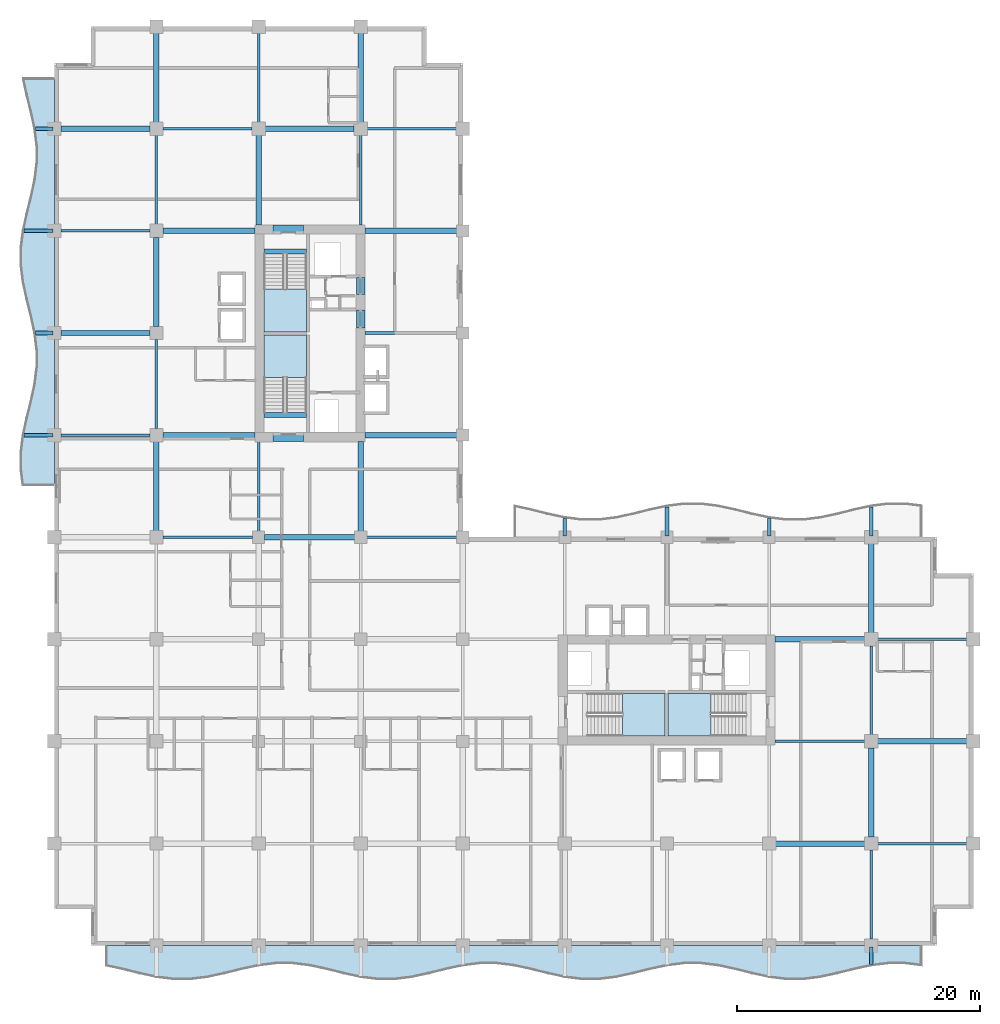
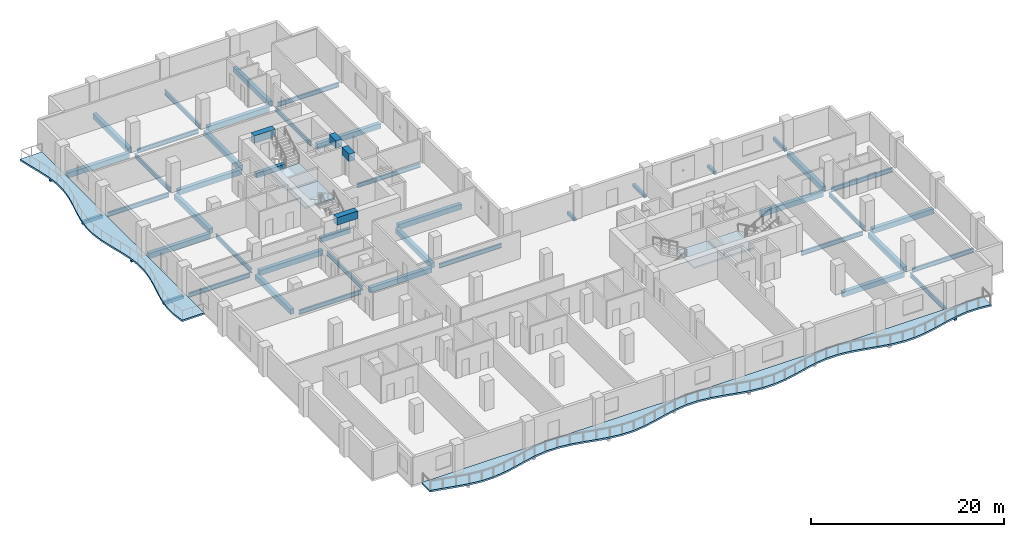
# One storey, part 2 of 16: 51 beams, 6 slabs, 4 elements without a shape of their own.
"""IFC4 building model written with IfcOpenShell, lengths in metres."""

from ifc_helpers import new_model, si_unit, direction, frame, origin, origin_2d, place, context, subcontext, project, spatial, polyline, rectangle, i_section, outline, extrude, material, layer, layer_set, material_profile, profile_set, type_object, element, aggregate, save


model = new_model("IFC4")

# Units and contexts
model_context = context("Model", 3, precision=1e-05, world=origin(), true_north=direction((0.0, 1.0)))
body_context = subcontext(model_context, "Body", "Model", "MODEL_VIEW")
ifc_project = project(units=[si_unit("LENGTHUNIT", "METRE"), si_unit("AREAUNIT", "SQUARE_METRE"), si_unit("VOLUMEUNIT", "CUBIC_METRE"), si_unit("PLANEANGLEUNIT", "RADIAN"), si_unit("MASSUNIT", "GRAM", prefix="KILO")], contexts=[model_context])

# Site, building, storey
site_placement = place(None, origin())
site = spatial("IfcSite", under=ifc_project, at=site_placement, CompositionType="ELEMENT")
building_placement = place(site_placement, origin())
building = spatial("IfcBuilding", under=site, at=building_placement, Name="Koriwani Terraces Tower", CompositionType="ELEMENT")
storey_placement = place(building_placement, frame((0.0, 0.0, 171.699951171875)))
storey = spatial("IfcBuildingStorey", under=building, at=storey_placement, Name="L41", CompositionType="ELEMENT", Elevation=171.699951171875)

# Beams
ifc_material_1 = material(Name="Concrete C40/50", Category="concrete")
ifc_material_profile_1 = material_profile(ifc_material_1, rectangle(XDim=0.300048828125, YDim=0.39990234375, at=origin_2d()), Name="Concrete C40/50", Category="LoadBearing")
ifc_profile_set_1 = profile_set([ifc_material_profile_1], Name="Concrete C40/50")
beam_type_1 = type_object("IfcBeamType", Name="BEAM_RC_BALCONY_RIB_300X400", PredefinedType="JOIST", material=ifc_profile_set_1)
beam_1_placement = place(storey_placement, frame((67.199951171875, -1.547607421875, -0.429931640625), z_axis=(0.0, 1.0, 0.0), x_axis=(-1.0, 0.0, 0.0)))
element("IfcBeam", 1, at=beam_1_placement, inside=storey, type_object=beam_type_1, Name="L41 Balcony Bracket Rib S-8", PredefinedType="JOIST", context=body_context, shape_type="SweptSolid", body=[
    extrude(rectangle(XDim=0.300048828125, YDim=0.39990234375, at=origin_2d()), origin(), (0.0, 0.0, 1.0), 1.447509765625),
])
beam_2_placement = place(storey_placement, frame((-2.502197265625, 42.0, -0.429931640625), z_axis=(1.0, 0.0, 0.0), x_axis=(0.0, 1.0, 0.0)))
element("IfcBeam", 2, at=beam_2_placement, inside=storey, type_object=beam_type_1, Name="L41 Balcony Bracket Rib W-1", PredefinedType="JOIST", context=body_context, shape_type="SweptSolid", body=[
    extrude(rectangle(XDim=0.300048828125, YDim=0.39990234375, at=origin_2d()), origin(), (0.0, 0.0, 1.0), 2.402099609375),
])
beam_3_placement = place(storey_placement, frame((-1.547607421875, 50.39990234375, -0.429931640625), z_axis=(1.0, 0.0, 0.0), x_axis=(0.0, 1.0, 0.0)))
element("IfcBeam", 3, at=beam_3_placement, inside=storey, type_object=beam_type_1, Name="L41 Balcony Bracket Rib W-2", PredefinedType="JOIST", context=body_context, shape_type="SweptSolid", body=[
    extrude(rectangle(XDim=0.300048828125, YDim=0.39990234375, at=origin_2d()), origin(), (0.0, 0.0, 1.0), 1.447509765625),
])
beam_4_placement = place(storey_placement, frame((-2.502197265625, 58.800048828125, -0.429931640625), z_axis=(1.0, 0.0, 0.0), x_axis=(0.0, 1.0, 0.0)))
element("IfcBeam", 4, at=beam_4_placement, inside=storey, type_object=beam_type_1, Name="L41 Balcony Bracket Rib W-3", PredefinedType="JOIST", context=body_context, shape_type="SweptSolid", body=[
    extrude(rectangle(XDim=0.300048828125, YDim=0.39990234375, at=origin_2d()), origin(), (0.0, 0.0, 1.0), 2.402099609375),
])
beam_5_placement = place(storey_placement, frame((-1.547607421875, 67.199951171875, -0.429931640625), z_axis=(1.0, 0.0, 0.0), x_axis=(0.0, 1.0, 0.0)))
element("IfcBeam", 5, at=beam_5_placement, inside=storey, type_object=beam_type_1, Name="L41 Balcony Bracket Rib W-4", PredefinedType="JOIST", context=body_context, shape_type="SweptSolid", body=[
    extrude(rectangle(XDim=0.300048828125, YDim=0.39990234375, at=origin_2d()), origin(), (0.0, 0.0, 1.0), 1.447509765625),
])
beam_6_placement = place(storey_placement, frame((42.0, 33.699951171875, -0.429931640625), z_axis=(0.0, 1.0, 0.0), x_axis=(-1.0, 0.0, 0.0)))
element("IfcBeam", 6, at=beam_6_placement, inside=storey, type_object=beam_type_1, Name="L41 Balcony Bracket Rib NE-1", PredefinedType="JOIST", context=body_context, shape_type="SweptSolid", body=[
    extrude(rectangle(XDim=0.300048828125, YDim=0.39990234375, at=origin_2d()), origin(), (0.0, 0.0, 1.0), 1.44775390625),
])
beam_7_placement = place(storey_placement, frame((50.39990234375, 33.699951171875, -0.429931640625), z_axis=(0.0, 1.0, 0.0), x_axis=(-1.0, 0.0, 0.0)))
element("IfcBeam", 7, at=beam_7_placement, inside=storey, type_object=beam_type_1, Name="L41 Balcony Bracket Rib NE-2", PredefinedType="JOIST", context=body_context, shape_type="SweptSolid", body=[
    extrude(rectangle(XDim=0.300048828125, YDim=0.39990234375, at=origin_2d()), origin(), (0.0, 0.0, 1.0), 2.40234375),
])
beam_8_placement = place(storey_placement, frame((58.800048828125, 33.699951171875, -0.429931640625), z_axis=(0.0, 1.0, 0.0), x_axis=(-1.0, 0.0, 0.0)))
element("IfcBeam", 8, at=beam_8_placement, inside=storey, type_object=beam_type_1, Name="L41 Balcony Bracket Rib NE-3", PredefinedType="JOIST", context=body_context, shape_type="SweptSolid", body=[
    extrude(rectangle(XDim=0.300048828125, YDim=0.39990234375, at=origin_2d()), origin(), (0.0, 0.0, 1.0), 1.44775390625),
])
beam_9_placement = place(storey_placement, frame((67.199951171875, 33.699951171875, -0.429931640625), z_axis=(0.0, 1.0, 0.0), x_axis=(-1.0, 0.0, 0.0)))
element("IfcBeam", 9, at=beam_9_placement, inside=storey, type_object=beam_type_1, Name="L41 Balcony Bracket Rib NE-4", PredefinedType="JOIST", context=body_context, shape_type="SweptSolid", body=[
    extrude(rectangle(XDim=0.300048828125, YDim=0.39990234375, at=origin_2d()), origin(), (0.0, 0.0, 1.0), 2.40234375),
])
ifc_material_2 = material(Name="Concrete C60/75", Category="concrete")
ifc_material_profile_2 = material_profile(ifc_material_2, rectangle(XDim=0.699951171875, YDim=0.949951171875, at=origin_2d()), Name="Concrete C60/75", Category="LoadBearing")
ifc_profile_set_2 = profile_set([ifc_material_profile_2], Name="Concrete C60/75")
beam_type_2 = type_object("IfcBeamType", Name="BEAM_RC_COUPLING_700X950", PredefinedType="LINTEL", material=ifc_profile_set_2)
beam_10_placement = place(storey_placement, frame((25.199951171875, 50.800048828125, 2.9951171875), z_axis=(0.0, 1.0, 0.0), x_axis=(-1.0, 0.0, 0.0)))
element("IfcBeam", 10, at=beam_10_placement, inside=storey, type_object=beam_type_2, Name="L41 Core Coupling Lintel Beam WE1", PredefinedType="LINTEL", context=body_context, shape_type="SweptSolid", body=[
    extrude(rectangle(XDim=0.699951171875, YDim=0.949951171875, at=origin_2d()), origin(), (0.0, 0.0, 1.0), 1.47998046875),
])
beam_11_placement = place(storey_placement, frame((25.199951171875, 53.550048828125, 2.9951171875), z_axis=(0.0, 1.0, 0.0), x_axis=(-1.0, 0.0, 0.0)))
element("IfcBeam", 11, at=beam_11_placement, inside=storey, type_object=beam_type_2, Name="L41 Core Coupling Lintel Beam WE2", PredefinedType="LINTEL", context=body_context, shape_type="SweptSolid", body=[
    extrude(rectangle(XDim=0.699951171875, YDim=0.949951171875, at=origin_2d()), origin(), (0.0, 0.0, 1.0), 1.39990234375),
])
for number, where, z_axis, x_axis, name in (
    (12, (18.0, 41.824951171875, 2.9951171875), (1.0, 0.0, 0.0), (0.0, 1.0, 0.0), "L41 Core Coupling Lintel Beam WS"),
    (13, (18.0, 58.925048828125, 2.9951171875), (1.0, 0.0, 0.0), (0.0, 1.0, 0.0), "L41 Core Coupling Lintel Beam WN"),
):
    element("IfcBeam", number, at=place(storey_placement, frame(where, z_axis=z_axis, x_axis=x_axis)), inside=storey, type_object=beam_type_2, Name=name, PredefinedType="LINTEL", context=body_context, shape_type="SweptSolid", body=[
        extrude(rectangle(XDim=0.699951171875, YDim=0.949951171875, at=origin_2d()), origin(), (0.0, 0.0, 1.0), 2.5),
    ])
ifc_material_profile_3 = material_profile(ifc_material_1, rectangle(XDim=0.39990234375, YDim=0.60009765625, at=origin_2d()), Name="Concrete C40/50", Category="LoadBearing")
ifc_profile_set_3 = profile_set([ifc_material_profile_3], Name="Concrete C40/50")
beam_type_3 = type_object("IfcBeamType", Name="BEAM_RC_GRID_400X600", PredefinedType="BEAM", material=ifc_profile_set_3)
for number, where, z_axis, x_axis, name in (
    (14, (17.25, 43.655029296875, -0.300048828125), (1.0, 0.0, 0.0), (0.0, 1.0, 0.0), "L41 Stairwell Header Trimmer Beam ST-W1"),
    (15, (17.25, 57.094970703125, -0.300048828125), (1.0, 0.0, 0.0), (0.0, 1.0, 0.0), "L41 Stairwell Header Trimmer Beam ST-W2"),
):
    element("IfcBeam", number, at=place(storey_placement, frame(where, z_axis=z_axis, x_axis=x_axis)), inside=storey, type_object=beam_type_3, Name=name, PredefinedType="BEAM", context=body_context, shape_type="SweptSolid", body=[
        extrude(rectangle(XDim=0.39990234375, YDim=0.60009765625, at=origin_2d()), origin(), (0.0, 0.0, 1.0), 3.5),
    ])
ifc_material_3 = material(Name="Concrete C50/60", Category="concrete")
ifc_material_profile_4 = material_profile(ifc_material_3, rectangle(XDim=0.449951171875, YDim=0.64990234375, at=origin_2d()), Name="Concrete C50/60", Category="LoadBearing")
ifc_profile_set_4 = profile_set([ifc_material_profile_4], Name="Concrete C50/60")
beam_type_4 = type_object("IfcBeamType", Name="BEAM_RC_GRID_450X650", PredefinedType="BEAM", material=ifc_profile_set_4)
beam_12_placement = place(storey_placement, frame((59.330078125, 8.39990234375, -0.554931640625), z_axis=(1.0, 0.0, 0.0), x_axis=(0.0, 1.0, 0.0)))
element("IfcBeam", 16, at=beam_12_placement, inside=storey, type_object=beam_type_4, Name="L41 Grid Beam B (58.8-67.2m)", PredefinedType="BEAM", context=body_context, shape_type="SweptSolid", body=[
    extrude(rectangle(XDim=0.449951171875, YDim=0.64990234375, at=origin_2d()), origin(), (0.0, 0.0, 1.0), 7.33984375),
])
beam_13_placement = place(storey_placement, frame((67.72998046875, 16.800048828125, -0.554931640625), z_axis=(1.0, 0.0, 0.0), x_axis=(0.0, 1.0, 0.0)))
element("IfcBeam", 17, at=beam_13_placement, inside=storey, type_object=beam_type_4, Name="L41 Grid Beam C (67.2-75.6m)", PredefinedType="BEAM", context=body_context, shape_type="SweptSolid", body=[
    extrude(rectangle(XDim=0.449951171875, YDim=0.64990234375, at=origin_2d()), origin(), (0.0, 0.0, 1.0), 7.340087890625),
])
beam_14_placement = place(storey_placement, frame((59.280029296875, 25.199951171875, -0.554931640625), z_axis=(1.0, 0.0, 0.0), x_axis=(0.0, 1.0, 0.0)))
element("IfcBeam", 18, at=beam_14_placement, inside=storey, type_object=beam_type_4, Name="L41 Grid Beam D (58.8-67.2m)", PredefinedType="BEAM", context=body_context, shape_type="SweptSolid", body=[
    extrude(rectangle(XDim=0.449951171875, YDim=0.64990234375, at=origin_2d()), origin(), (0.0, 0.0, 1.0), 7.389892578125),
])
beam_15_placement = place(storey_placement, frame((17.280029296875, 33.60009765625, -0.554931640625), z_axis=(1.0, 0.0, 0.0), x_axis=(0.0, 1.0, 0.0)))
element("IfcBeam", 19, at=beam_15_placement, inside=storey, type_object=beam_type_4, Name="L41 Grid Beam E (16.8-25.2m)", PredefinedType="BEAM", context=body_context, shape_type="SweptSolid", body=[
    extrude(rectangle(XDim=0.449951171875, YDim=0.64990234375, at=origin_2d()), origin(), (0.0, 0.0, 1.0), 7.43994140625),
])
beam_16_placement = place(storey_placement, frame((8.929931640625, 42.0, -0.554931640625), z_axis=(1.0, 0.0, 0.0), x_axis=(0.0, 1.0, 0.0)))
element("IfcBeam", 20, at=beam_16_placement, inside=storey, type_object=beam_type_4, Name="L41 Grid Beam F (8.4-16.8m)", PredefinedType="BEAM", context=body_context, shape_type="SweptSolid", body=[
    extrude(rectangle(XDim=0.449951171875, YDim=0.64990234375, at=origin_2d()), origin(), (0.0, 0.0, 1.0), 7.590087890625),
])
beam_17_placement = place(storey_placement, frame((25.554931640625, 42.0, -0.554931640625), z_axis=(1.0, 0.0, 0.0), x_axis=(0.0, 1.0, 0.0)))
element("IfcBeam", 21, at=beam_17_placement, inside=storey, type_object=beam_type_4, Name="L41 Grid Beam F (25.2-33.6m)", PredefinedType="BEAM", context=body_context, shape_type="SweptSolid", body=[
    extrude(rectangle(XDim=0.449951171875, YDim=0.64990234375, at=origin_2d()), origin(), (0.0, 0.0, 1.0), 7.565185546875),
])
beam_18_placement = place(storey_placement, frame((0.530029296875, 50.39990234375, -0.554931640625), z_axis=(1.0, 0.0, 0.0), x_axis=(0.0, 1.0, 0.0)))
element("IfcBeam", 22, at=beam_18_placement, inside=storey, type_object=beam_type_4, Name="L41 Grid Beam G (0.0-8.4m)", PredefinedType="BEAM", context=body_context, shape_type="SweptSolid", body=[
    extrude(rectangle(XDim=0.449951171875, YDim=0.64990234375, at=origin_2d()), origin(), (0.0, 0.0, 1.0), 7.340087890625),
])
beam_19_placement = place(storey_placement, frame((8.929931640625, 58.800048828125, -0.554931640625), z_axis=(1.0, 0.0, 0.0), x_axis=(0.0, 1.0, 0.0)))
element("IfcBeam", 23, at=beam_19_placement, inside=storey, type_object=beam_type_4, Name="L41 Grid Beam H (8.4-16.8m)", PredefinedType="BEAM", context=body_context, shape_type="SweptSolid", body=[
    extrude(rectangle(XDim=0.449951171875, YDim=0.64990234375, at=origin_2d()), origin(), (0.0, 0.0, 1.0), 7.590087890625),
])
beam_20_placement = place(storey_placement, frame((25.554931640625, 58.800048828125, -0.554931640625), z_axis=(1.0, 0.0, 0.0), x_axis=(0.0, 1.0, 0.0)))
element("IfcBeam", 24, at=beam_20_placement, inside=storey, type_object=beam_type_4, Name="L41 Grid Beam H (25.2-33.6m)", PredefinedType="BEAM", context=body_context, shape_type="SweptSolid", body=[
    extrude(rectangle(XDim=0.449951171875, YDim=0.64990234375, at=origin_2d()), origin(), (0.0, 0.0, 1.0), 7.565185546875),
])
beam_21_placement = place(storey_placement, frame((0.530029296875, 67.199951171875, -0.554931640625), z_axis=(1.0, 0.0, 0.0), x_axis=(0.0, 1.0, 0.0)))
element("IfcBeam", 25, at=beam_21_placement, inside=storey, type_object=beam_type_4, Name="L41 Grid Beam I (0.0-8.4m)", PredefinedType="BEAM", context=body_context, shape_type="SweptSolid", body=[
    extrude(rectangle(XDim=0.449951171875, YDim=0.64990234375, at=origin_2d()), origin(), (0.0, 0.0, 1.0), 7.340087890625),
])
beam_22_placement = place(storey_placement, frame((17.330078125, 67.199951171875, -0.554931640625), z_axis=(1.0, 0.0, 0.0), x_axis=(0.0, 1.0, 0.0)))
element("IfcBeam", 26, at=beam_22_placement, inside=storey, type_object=beam_type_4, Name="L41 Grid Beam I (16.8-25.2m)", PredefinedType="BEAM", context=body_context, shape_type="SweptSolid", body=[
    extrude(rectangle(XDim=0.449951171875, YDim=0.64990234375, at=origin_2d()), origin(), (0.0, 0.0, 1.0), 7.33984375),
])
for number, where, z_axis, x_axis, name in (
    (27, (8.39990234375, 34.1298828125, -0.554931640625), (0.0, 1.0, 0.0), (-1.0, 0.0, 0.0), "L41 Grid Beam 2 (33.6-42.0m)"),
    (28, (8.39990234375, 50.929931640625, -0.554931640625), (0.0, 1.0, 0.0), (-1.0, 0.0, 0.0), "L41 Grid Beam 2 (50.4-58.8m)"),
    (29, (8.39990234375, 67.72998046875, -0.554931640625), (0.0, 1.0, 0.0), (-1.0, 0.0, 0.0), "L41 Grid Beam 2 (67.2-75.6m)"),
):
    element("IfcBeam", number, at=place(storey_placement, frame(where, z_axis=z_axis, x_axis=x_axis)), inside=storey, type_object=beam_type_4, Name=name, PredefinedType="BEAM", context=body_context, shape_type="SweptSolid", body=[
        extrude(rectangle(XDim=0.449951171875, YDim=0.64990234375, at=origin_2d()), origin(), (0.0, 0.0, 1.0), 7.340087890625),
    ])
for number, where, z_axis, x_axis, name in (
    (30, (16.800048828125, 59.280029296875, -0.554931640625), (0.0, 1.0, 0.0), (-1.0, 0.0, 0.0), "L41 Grid Beam 3 (58.8-67.2m)"),
    (31, (25.199951171875, 34.080078125, -0.554931640625), (0.0, 1.0, 0.0), (-1.0, 0.0, 0.0), "L41 Grid Beam 4 (33.6-42.0m)"),
):
    element("IfcBeam", number, at=place(storey_placement, frame(where, z_axis=z_axis, x_axis=x_axis)), inside=storey, type_object=beam_type_4, Name=name, PredefinedType="BEAM", context=body_context, shape_type="SweptSolid", body=[
        extrude(rectangle(XDim=0.449951171875, YDim=0.64990234375, at=origin_2d()), origin(), (0.0, 0.0, 1.0), 7.389892578125),
    ])
for number, where, z_axis, x_axis, name in (
    (32, (25.199951171875, 67.72998046875, -0.554931640625), (0.0, 1.0, 0.0), (-1.0, 0.0, 0.0), "L41 Grid Beam 4 (67.2-75.6m)"),
    (33, (67.199951171875, 8.929931640625, -0.554931640625), (0.0, 1.0, 0.0), (-1.0, 0.0, 0.0), "L41 Grid Beam 9 (8.4-16.8m)"),
    (34, (67.199951171875, 25.72998046875, -0.554931640625), (0.0, 1.0, 0.0), (-1.0, 0.0, 0.0), "L41 Grid Beam 9 (25.2-33.6m)"),
):
    element("IfcBeam", number, at=place(storey_placement, frame(where, z_axis=z_axis, x_axis=x_axis)), inside=storey, type_object=beam_type_4, Name=name, PredefinedType="BEAM", context=body_context, shape_type="SweptSolid", body=[
        extrude(rectangle(XDim=0.449951171875, YDim=0.64990234375, at=origin_2d()), origin(), (0.0, 0.0, 1.0), 7.340087890625),
    ])
ifc_material_4 = material(Name="Steel ASTM A572 Grade 50", Category="steel")
ifc_material_profile_5 = material_profile(ifc_material_4, i_section(OverallWidth=0.2109375, OverallDepth=0.5390625, WebThickness=0.01171875, FlangeThickness=0.018798828125, at=origin_2d()), Name="Steel ASTM A572 Grade 50", Category="LoadBearing")
ifc_profile_set_5 = profile_set([ifc_material_profile_5], Name="Steel ASTM A572 Grade 50")
beam_type_5 = type_object("IfcBeamType", Name="STEEL_BEAM_W530X109", PredefinedType="BEAM", material=ifc_profile_set_5)
beam_23_placement = place(storey_placement, frame((67.72998046875, 8.39990234375, -0.49951171875), z_axis=(1.0, 0.0, 0.0), x_axis=(0.0, 1.0, 0.0)))
element("IfcBeam", 35, at=beam_23_placement, inside=storey, type_object=beam_type_5, Name="L41 Grid Beam B (67.2-75.6m)", PredefinedType="BEAM", context=body_context, shape_type="SweptSolid", body=[
    extrude(i_section(OverallWidth=0.2109375, OverallDepth=0.5390625, WebThickness=0.01171875, FlangeThickness=0.018798828125, at=origin_2d()), origin(), (0.0, 0.0, 1.0), 7.340087890625),
])
beam_24_placement = place(storey_placement, frame((59.280029296875, 16.800048828125, -0.49951171875), z_axis=(1.0, 0.0, 0.0), x_axis=(0.0, 1.0, 0.0)))
element("IfcBeam", 36, at=beam_24_placement, inside=storey, type_object=beam_type_5, Name="L41 Grid Beam C (58.8-67.2m)", PredefinedType="BEAM", context=body_context, shape_type="SweptSolid", body=[
    extrude(i_section(OverallWidth=0.2109375, OverallDepth=0.5390625, WebThickness=0.01171875, FlangeThickness=0.018798828125, at=origin_2d()), origin(), (0.0, 0.0, 1.0), 7.389892578125),
])
beam_25_placement = place(storey_placement, frame((67.72998046875, 25.199951171875, -0.49951171875), z_axis=(1.0, 0.0, 0.0), x_axis=(0.0, 1.0, 0.0)))
element("IfcBeam", 37, at=beam_25_placement, inside=storey, type_object=beam_type_5, Name="L41 Grid Beam D (67.2-75.6m)", PredefinedType="BEAM", context=body_context, shape_type="SweptSolid", body=[
    extrude(i_section(OverallWidth=0.2109375, OverallDepth=0.5390625, WebThickness=0.01171875, FlangeThickness=0.018798828125, at=origin_2d()), origin(), (0.0, 0.0, 1.0), 7.340087890625),
])
beam_26_placement = place(storey_placement, frame((8.929931640625, 33.60009765625, -0.49951171875), z_axis=(1.0, 0.0, 0.0), x_axis=(0.0, 1.0, 0.0)))
element("IfcBeam", 38, at=beam_26_placement, inside=storey, type_object=beam_type_5, Name="L41 Grid Beam E (8.4-16.8m)", PredefinedType="BEAM", context=body_context, shape_type="SweptSolid", body=[
    extrude(i_section(OverallWidth=0.2109375, OverallDepth=0.5390625, WebThickness=0.01171875, FlangeThickness=0.018798828125, at=origin_2d()), origin(), (0.0, 0.0, 1.0), 7.39013671875),
])
beam_27_placement = place(storey_placement, frame((25.679931640625, 33.60009765625, -0.49951171875), z_axis=(1.0, 0.0, 0.0), x_axis=(0.0, 1.0, 0.0)))
element("IfcBeam", 39, at=beam_27_placement, inside=storey, type_object=beam_type_5, Name="L41 Grid Beam E (25.2-33.6m)", PredefinedType="BEAM", context=body_context, shape_type="SweptSolid", body=[
    extrude(i_section(OverallWidth=0.2109375, OverallDepth=0.5390625, WebThickness=0.01171875, FlangeThickness=0.018798828125, at=origin_2d()), origin(), (0.0, 0.0, 1.0), 7.440185546875),
])
beam_28_placement = place(storey_placement, frame((0.530029296875, 42.0, -0.49951171875), z_axis=(1.0, 0.0, 0.0), x_axis=(0.0, 1.0, 0.0)))
element("IfcBeam", 40, at=beam_28_placement, inside=storey, type_object=beam_type_5, Name="L41 Grid Beam F (0.0-8.4m)", PredefinedType="BEAM", context=body_context, shape_type="SweptSolid", body=[
    extrude(i_section(OverallWidth=0.2109375, OverallDepth=0.5390625, WebThickness=0.01171875, FlangeThickness=0.018798828125, at=origin_2d()), origin(), (0.0, 0.0, 1.0), 7.340087890625),
])
beam_29_placement = place(storey_placement, frame((25.554931640625, 50.39990234375, -0.49951171875), z_axis=(1.0, 0.0, 0.0), x_axis=(0.0, 1.0, 0.0)))
element("IfcBeam", 41, at=beam_29_placement, inside=storey, type_object=beam_type_5, Name="L41 Grid Beam G (25.2-33.6m)", PredefinedType="BEAM", context=body_context, shape_type="SweptSolid", body=[
    extrude(i_section(OverallWidth=0.2109375, OverallDepth=0.5390625, WebThickness=0.01171875, FlangeThickness=0.018798828125, at=origin_2d()), origin(), (0.0, 0.0, 1.0), 7.565185546875),
])
for number, where, z_axis, x_axis, name in (
    (42, (0.530029296875, 58.800048828125, -0.49951171875), (1.0, 0.0, 0.0), (0.0, 1.0, 0.0), "L41 Grid Beam H (0.0-8.4m)"),
    (43, (8.929931640625, 67.199951171875, -0.49951171875), (1.0, 0.0, 0.0), (0.0, 1.0, 0.0), "L41 Grid Beam I (8.4-16.8m)"),
    (44, (25.72998046875, 67.199951171875, -0.49951171875), (1.0, 0.0, 0.0), (0.0, 1.0, 0.0), "L41 Grid Beam I (25.2-33.6m)"),
    (45, (8.39990234375, 42.530029296875, -0.49951171875), (0.0, 1.0, 0.0), (-1.0, 0.0, 0.0), "L41 Grid Beam 2 (42.0-50.4m)"),
):
    element("IfcBeam", number, at=place(storey_placement, frame(where, z_axis=z_axis, x_axis=x_axis)), inside=storey, type_object=beam_type_5, Name=name, PredefinedType="BEAM", context=body_context, shape_type="SweptSolid", body=[
        extrude(i_section(OverallWidth=0.2109375, OverallDepth=0.5390625, WebThickness=0.01171875, FlangeThickness=0.018798828125, at=origin_2d()), origin(), (0.0, 0.0, 1.0), 7.340087890625),
    ])
beam_30_placement = place(storey_placement, frame((8.39990234375, 59.330078125, -0.49951171875), z_axis=(0.0, 1.0, 0.0), x_axis=(-1.0, 0.0, 0.0)))
element("IfcBeam", 46, at=beam_30_placement, inside=storey, type_object=beam_type_5, Name="L41 Grid Beam 2 (58.8-67.2m)", PredefinedType="BEAM", context=body_context, shape_type="SweptSolid", body=[
    extrude(i_section(OverallWidth=0.2109375, OverallDepth=0.5390625, WebThickness=0.01171875, FlangeThickness=0.018798828125, at=origin_2d()), origin(), (0.0, 0.0, 1.0), 7.33984375),
])
beam_31_placement = place(storey_placement, frame((16.800048828125, 34.080078125, -0.49951171875), z_axis=(0.0, 1.0, 0.0), x_axis=(-1.0, 0.0, 0.0)))
element("IfcBeam", 47, at=beam_31_placement, inside=storey, type_object=beam_type_5, Name="L41 Grid Beam 3 (33.6-42.0m)", PredefinedType="BEAM", context=body_context, shape_type="SweptSolid", body=[
    extrude(i_section(OverallWidth=0.2109375, OverallDepth=0.5390625, WebThickness=0.01171875, FlangeThickness=0.018798828125, at=origin_2d()), origin(), (0.0, 0.0, 1.0), 7.389892578125),
])
beam_32_placement = place(storey_placement, frame((16.800048828125, 67.72998046875, -0.49951171875), z_axis=(0.0, 1.0, 0.0), x_axis=(-1.0, 0.0, 0.0)))
element("IfcBeam", 48, at=beam_32_placement, inside=storey, type_object=beam_type_5, Name="L41 Grid Beam 3 (67.2-75.6m)", PredefinedType="BEAM", context=body_context, shape_type="SweptSolid", body=[
    extrude(i_section(OverallWidth=0.2109375, OverallDepth=0.5390625, WebThickness=0.01171875, FlangeThickness=0.018798828125, at=origin_2d()), origin(), (0.0, 0.0, 1.0), 7.340087890625),
])
beam_33_placement = place(storey_placement, frame((25.199951171875, 59.280029296875, -0.49951171875), z_axis=(0.0, 1.0, 0.0), x_axis=(-1.0, 0.0, 0.0)))
element("IfcBeam", 49, at=beam_33_placement, inside=storey, type_object=beam_type_5, Name="L41 Grid Beam 4 (58.8-67.2m)", PredefinedType="BEAM", context=body_context, shape_type="SweptSolid", body=[
    extrude(i_section(OverallWidth=0.2109375, OverallDepth=0.5390625, WebThickness=0.01171875, FlangeThickness=0.018798828125, at=origin_2d()), origin(), (0.0, 0.0, 1.0), 7.389892578125),
])
beam_34_placement = place(storey_placement, frame((67.199951171875, 0.530029296875, -0.49951171875), z_axis=(0.0, 1.0, 0.0), x_axis=(-1.0, 0.0, 0.0)))
element("IfcBeam", 50, at=beam_34_placement, inside=storey, type_object=beam_type_5, Name="L41 Grid Beam 9 (0.0-8.4m)", PredefinedType="BEAM", context=body_context, shape_type="SweptSolid", body=[
    extrude(i_section(OverallWidth=0.2109375, OverallDepth=0.5390625, WebThickness=0.01171875, FlangeThickness=0.018798828125, at=origin_2d()), origin(), (0.0, 0.0, 1.0), 7.340087890625),
])
beam_35_placement = place(storey_placement, frame((67.199951171875, 17.330078125, -0.49951171875), z_axis=(0.0, 1.0, 0.0), x_axis=(-1.0, 0.0, 0.0)))
element("IfcBeam", 51, at=beam_35_placement, inside=storey, type_object=beam_type_5, Name="L41 Grid Beam 9 (16.8-25.2m)", PredefinedType="BEAM", context=body_context, shape_type="SweptSolid", body=[
    extrude(i_section(OverallWidth=0.2109375, OverallDepth=0.5390625, WebThickness=0.01171875, FlangeThickness=0.018798828125, at=origin_2d()), origin(), (0.0, 0.0, 1.0), 7.33984375),
])

# Slabs
ifc_layer_1 = layer(ifc_material_1, 0.219970703125, Name="Concrete C40/50")
ifc_layer_set_1 = layer_set([ifc_layer_1], Name="Concrete C40/50")
slab_type_1 = type_object("IfcSlabType", Name="SLAB_BALCONY_220", PredefinedType="FLOOR", material=ifc_layer_set_1)
slab_1_placement = place(storey_placement, frame((0.0, 0.0, -0.219970703125)))
element("IfcSlab", 52, at=slab_1_placement, inside=storey, type_object=slab_type_1, Name="L41 Quilted Circular-Arc Balcony (S)", PredefinedType="FLOOR", context=body_context, shape_type="SweptSolid", body=[
    extrude(outline(polyline([(4.199951171875, 0.0), (5.60009765625, 0.0), (7.0, 0.0), (8.39990234375, 0.0), (9.800048828125, 0.0), (11.199951171875, 0.0), (12.60009765625, 0.0), (14.0, 0.0), (15.39990234375, 0.0), (16.800048828125, 0.0), (18.199951171875, 0.0), (19.60009765625, 0.0), (21.0, 0.0), (22.39990234375, 0.0), (23.800048828125, 0.0), (25.199951171875, 0.0), (26.60009765625, 0.0), (28.0, 0.0), (29.39990234375, 0.0), (30.800048828125, 0.0), (32.199951171875, 0.0), (33.60009765625, 0.0), (35.0, 0.0), (36.39990234375, 0.0), (37.800048828125, 0.0), (39.199951171875, 0.0), (40.60009765625, 0.0), (42.0, 0.0), (43.39990234375, 0.0), (44.800048828125, 0.0), (46.199951171875, 0.0), (47.60009765625, 0.0), (49.0, 0.0), (50.39990234375, 0.0), (51.800048828125, 0.0), (53.199951171875, 0.0), (54.60009765625, 0.0), (56.0, 0.0), (57.39990234375, 0.0), (58.800048828125, 0.0), (60.199951171875, 0.0), (61.60009765625, 0.0), (63.0, 0.0), (64.39990234375, 0.0), (65.800048828125, 0.0), (67.199951171875, 0.0), (68.60009765625, 0.0), (70.0, 0.0), (71.39990234375, 0.0), (71.39990234375, -1.69775390625), (70.0, -1.52294921875), (68.60009765625, -1.52294921875), (67.199951171875, -1.69775390625), (65.800048828125, -2.000244140625), (64.39990234375, -2.349609375), (63.0, -2.65234375), (61.60009765625, -2.826904296875), (60.199951171875, -2.826904296875), (58.800048828125, -2.65234375), (57.39990234375, -2.349609375), (56.0, -2.000244140625), (54.60009765625, -1.69775390625), (53.199951171875, -1.52294921875), (51.800048828125, -1.52294921875), (50.39990234375, -1.69775390625), (49.0, -2.000244140625), (47.60009765625, -2.349609375), (46.199951171875, -2.65234375), (44.800048828125, -2.826904296875), (43.39990234375, -2.826904296875), (42.0, -2.65234375), (40.60009765625, -2.349609375), (39.199951171875, -2.000244140625), (37.800048828125, -1.69775390625), (36.39990234375, -1.52294921875), (35.0, -1.52294921875), (33.60009765625, -1.69775390625), (32.199951171875, -2.000244140625), (30.800048828125, -2.349609375), (29.39990234375, -2.65234375), (28.0, -2.826904296875), (26.60009765625, -2.826904296875), (25.199951171875, -2.65234375), (23.800048828125, -2.349609375), (22.39990234375, -2.000244140625), (21.0, -1.69775390625), (19.60009765625, -1.52294921875), (18.199951171875, -1.52294921875), (16.800048828125, -1.69775390625), (15.39990234375, -2.000244140625), (14.0, -2.349609375), (12.60009765625, -2.65234375), (11.199951171875, -2.826904296875), (9.800048828125, -2.826904296875), (8.39990234375, -2.65234375), (7.0, -2.349609375), (5.60009765625, -2.000244140625), (4.199951171875, -1.69775390625), (4.199951171875, 0.0)])), origin(), (0.0, 0.0, 1.0), 0.219970703125),
])
slab_2_placement = place(storey_placement, frame((0.0, 0.0, -0.219970703125)))
element("IfcSlab", 53, at=slab_2_placement, inside=storey, type_object=slab_type_1, Name="L41 Quilted Circular-Arc Balcony (W)", PredefinedType="FLOOR", context=body_context, shape_type="SweptSolid", body=[
    extrude(outline(polyline([(0.0, 37.800048828125), (0.0, 39.199951171875), (0.0, 40.60009765625), (0.0, 42.0), (0.0, 43.39990234375), (0.0, 44.800048828125), (0.0, 46.199951171875), (0.0, 47.60009765625), (0.0, 49.0), (0.0, 50.39990234375), (0.0, 51.800048828125), (0.0, 53.199951171875), (0.0, 54.60009765625), (0.0, 56.0), (0.0, 57.39990234375), (0.0, 58.800048828125), (0.0, 60.199951171875), (0.0, 61.60009765625), (0.0, 63.0), (0.0, 64.39990234375), (0.0, 65.800048828125), (0.0, 67.199951171875), (0.0, 68.60009765625), (0.0, 70.0), (0.0, 71.39990234375), (-2.65234375, 71.39990234375), (-2.349609375, 70.0), (-2.000244140625, 68.60009765625), (-1.69775390625, 67.199951171875), (-1.52294921875, 65.800048828125), (-1.52294921875, 64.39990234375), (-1.69775390625, 63.0), (-2.000244140625, 61.60009765625), (-2.349609375, 60.199951171875), (-2.65234375, 58.800048828125), (-2.826904296875, 57.39990234375), (-2.826904296875, 56.0), (-2.65234375, 54.60009765625), (-2.349609375, 53.199951171875), (-2.000244140625, 51.800048828125), (-1.69775390625, 50.39990234375), (-1.52294921875, 49.0), (-1.52294921875, 47.60009765625), (-1.69775390625, 46.199951171875), (-2.000244140625, 44.800048828125), (-2.349609375, 43.39990234375), (-2.65234375, 42.0), (-2.826904296875, 40.60009765625), (-2.826904296875, 39.199951171875), (-2.65234375, 37.800048828125), (0.0, 37.800048828125)])), origin(), (0.0, 0.0, 1.0), 0.219970703125),
])

# Stair, slab
stair_type = type_object("IfcStairType", Name="STAIR_CORE_DOGLEG_1650", PredefinedType="TWO_STRAIGHT_RUN_STAIR", material=ifc_material_1)
stair_1_placement = place(storey_placement, origin())
stair_1 = element("IfcStair", 54, at=stair_1_placement, inside=storey, type_object=stair_type, Name="L41 West Core Exit Stair 1", PredefinedType="HALF_TURN_STAIR")
ifc_layer_2 = layer(ifc_material_1, 0.199951171875, Name="Concrete C40/50")
ifc_layer_set_2 = layer_set([ifc_layer_2], Name="Concrete C40/50")
slab_type_2 = type_object("IfcSlabType", Name="SLAB_STAIR_LANDING_200", PredefinedType="LANDING", material=ifc_layer_set_2)
slab_3_placement = place(storey_placement, frame((0.0, 0.0, 1.650146484375)))
slab_3 = element("IfcSlab", 55, at=slab_3_placement, type_object=slab_type_2, Name="ST-W1 landing 1", PredefinedType="LANDING", context=body_context, shape_type="SweptSolid", body=[
    extrude(outline(polyline([(20.75, 46.75), (20.75, 50.25), (17.25, 50.25), (17.25, 46.75), (20.75, 46.75)])), origin(), (0.0, 0.0, 1.0), 0.199951171875),
])
aggregate(stair_1, [slab_3])

stair_2_placement = place(storey_placement, origin())
stair_2 = element("IfcStair", 56, at=stair_2_placement, inside=storey, type_object=stair_type, Name="L41 West Core Exit Stair 2", PredefinedType="HALF_TURN_STAIR")
slab_4_placement = place(storey_placement, frame((0.0, 0.0, 1.650146484375)))
slab_4 = element("IfcSlab", 57, at=slab_4_placement, type_object=slab_type_2, Name="ST-W2 landing 1", PredefinedType="LANDING", context=body_context, shape_type="SweptSolid", body=[
    extrude(outline(polyline([(17.25, 54.0), (17.25, 50.5), (20.75, 50.5), (20.75, 54.0), (17.25, 54.0)])), origin(), (0.0, 0.0, 1.0), 0.199951171875),
])
aggregate(stair_2, [slab_4])

stair_3_placement = place(storey_placement, origin())
stair_3 = element("IfcStair", 58, at=stair_3_placement, inside=storey, type_object=stair_type, Name="L41 East Core Exit Stair 1", PredefinedType="HALF_TURN_STAIR")
slab_5_placement = place(storey_placement, frame((0.0, 0.0, 1.650146484375)))
slab_5 = element("IfcSlab", 59, at=slab_5_placement, type_object=slab_type_2, Name="ST-E1 landing 1", PredefinedType="LANDING", context=body_context, shape_type="SweptSolid", body=[
    extrude(outline(polyline([(46.75, 17.25), (50.25, 17.25), (50.25, 20.75), (46.75, 20.75), (46.75, 17.25)])), origin(), (0.0, 0.0, 1.0), 0.199951171875),
])
aggregate(stair_3, [slab_5])

stair_4_placement = place(storey_placement, origin())
stair_4 = element("IfcStair", 60, at=stair_4_placement, inside=storey, type_object=stair_type, Name="L41 East Core Exit Stair 2", PredefinedType="HALF_TURN_STAIR")
slab_6_placement = place(storey_placement, frame((0.0, 0.0, 1.650146484375)))
slab_6 = element("IfcSlab", 61, at=slab_6_placement, type_object=slab_type_2, Name="ST-E2 landing 1", PredefinedType="LANDING", context=body_context, shape_type="SweptSolid", body=[
    extrude(outline(polyline([(54.0, 20.75), (50.5, 20.75), (50.5, 17.25), (54.0, 17.25), (54.0, 20.75)])), origin(), (0.0, 0.0, 1.0), 0.199951171875),
])
aggregate(stair_4, [slab_6])

save(model, "model.ifc")
